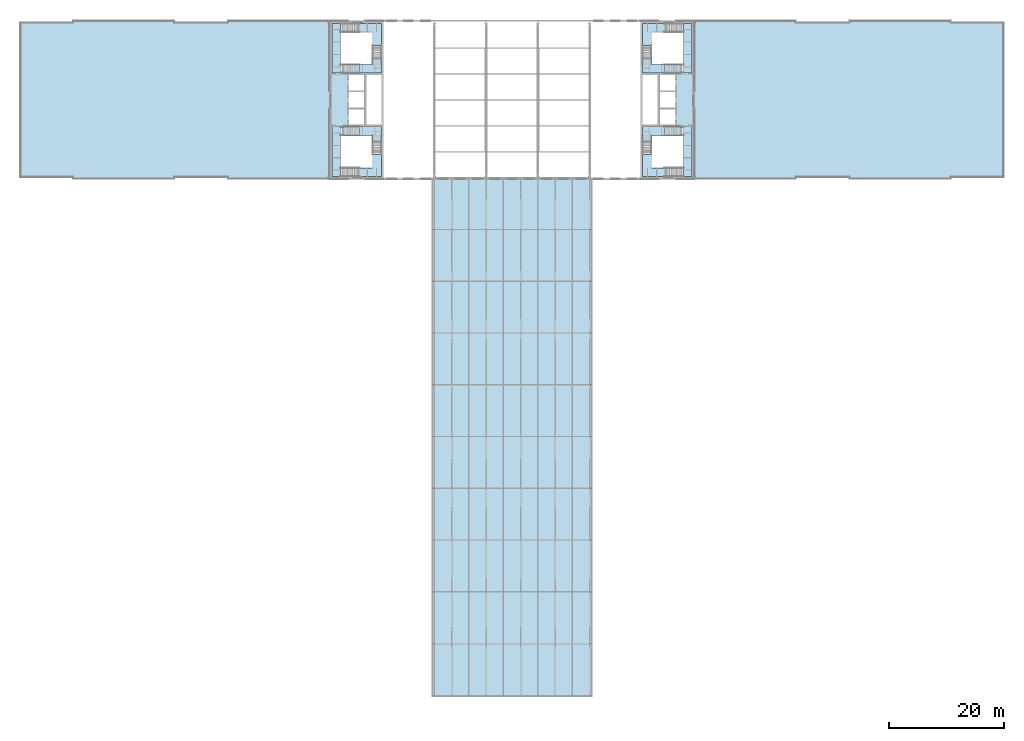
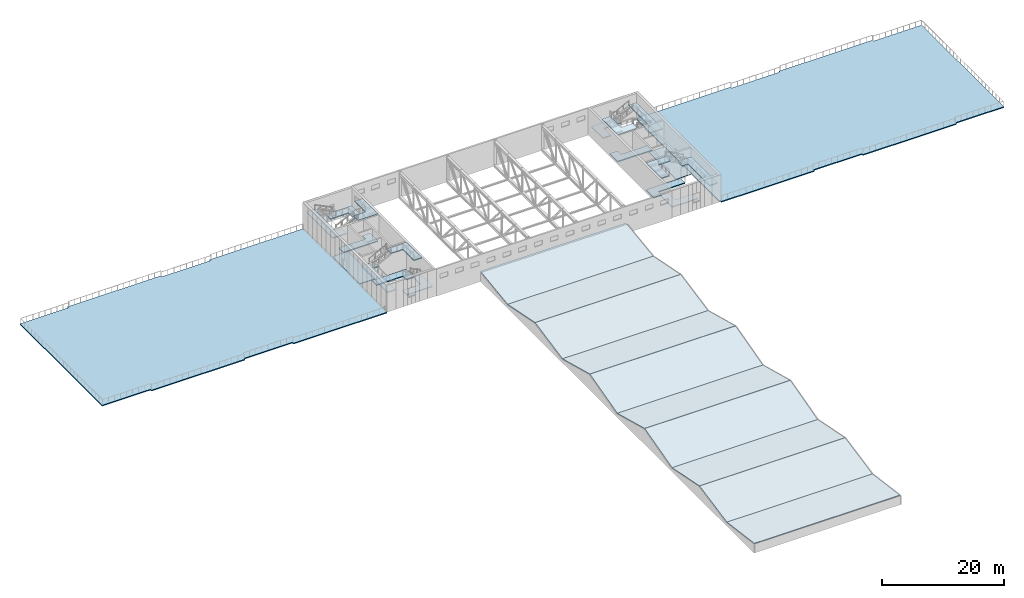
# One storey, part 20 of 29: 30 slabs, 4 elements without a shape of their own.
"""IFC4 building model written with IfcOpenShell, lengths in metres."""

import ifcopenshell
import ifcopenshell.guid

model = None  # the IFC model being written
_history = None  # IfcOwnerHistory: only IFC2X3 demands one
_inside = {}  # id of a spatial element -> (the spatial element, [elements in it])
_under = {}  # id of a project, library or spatial element -> (it, [spatial elements below it])
_declared = {}  # id of a project -> (the project, [libraries it declares])
_typed = {}  # id of a type object -> (the type object, [elements of that type])
_made_of = {}  # id of a material, layer set ... -> (it, [elements and type objects made of it])


def new_model(schema):
    """Start an empty IFC model of exactly this schema.

    Asked for "IFC4X3", IfcOpenShell would pick the latest addendum, in which some entities
    have other attributes; the version numbers below select the first issue.
    IFC2X3 requires an IfcOwnerHistory on every rooted entity: one is made here for all.
    """
    global model, _history
    if schema == "IFC4X3":
        model = ifcopenshell.file(schema_version=(4, 3, 0, 0))
    else:
        model = ifcopenshell.file(schema=schema)
    _inside.clear()
    _under.clear()
    _declared.clear()
    _typed.clear()
    _made_of.clear()
    _history = None
    if model.schema == "IFC2X3":
        org = make("IfcOrganization", Name="unknown")
        user = make(
            "IfcPersonAndOrganization",
            ThePerson=make("IfcPerson", FamilyName="unknown"),
            TheOrganization=org,
        )
        app = make(
            "IfcApplication",
            ApplicationDeveloper=org,
            Version="unknown",
            ApplicationFullName="unknown",
            ApplicationIdentifier="unknown",
        )
        _history = make(
            "IfcOwnerHistory",
            OwningUser=user,
            OwningApplication=app,
            ChangeAction="ADDED",
            CreationDate=0,
        )
    return model


def make(cls, **values):
    """One entity of the class cls with the attributes given. An attribute that is None is left unset."""
    return model.create_entity(
        cls, **{name: value for name, value in values.items() if value is not None}
    )


def rooted(cls, **values):
    """An entity with a GlobalId (a new one), such as an element, a storey or a relation."""
    return make(cls, GlobalId=ifcopenshell.guid.new(), OwnerHistory=_history, **values)


def si_unit(unit_type, name, prefix=None):
    """IfcSIUnit, for example si_unit("LENGTHUNIT", "METRE", prefix="MILLI")."""
    return make("IfcSIUnit", UnitType=unit_type, Prefix=prefix, Name=name)


def assignment(units):
    """IfcUnitAssignment: the units of a project."""
    return None if units is None else make("IfcUnitAssignment", Units=units)


def point(xyz):
    """IfcCartesianPoint."""
    return None if xyz is None else make("IfcCartesianPoint", Coordinates=xyz)


def direction(xyz):
    """IfcDirection."""
    return None if xyz is None else make("IfcDirection", DirectionRatios=xyz)


def frame(location, z_axis=None, x_axis=None):
    """IfcAxis2Placement3D, a coordinate frame: its origin and axes. An axis left out is left unset."""
    return make(
        "IfcAxis2Placement3D",
        Location=point(location),
        Axis=direction(z_axis),
        RefDirection=direction(x_axis),
    )


def origin():
    """The frame at (0, 0, 0) with its axes left unset."""
    return frame((0.0, 0.0, 0.0))


def place(relative_to, where):
    """IfcLocalPlacement: puts the frame where relative to a parent placement (None: the world)."""
    return make(
        "IfcLocalPlacement", PlacementRelTo=relative_to, RelativePlacement=where
    )


def context(
    kind, dimensions, precision=None, world=None, true_north=None, identifier=None
):
    """IfcGeometricRepresentationContext, for example the 3D "Model" context."""
    return make(
        "IfcGeometricRepresentationContext",
        ContextIdentifier=identifier,
        ContextType=kind,
        CoordinateSpaceDimension=dimensions,
        Precision=precision,
        WorldCoordinateSystem=world,
        TrueNorth=true_north,
    )


def subcontext(parent, identifier, kind, view, scale=None):
    """IfcGeometricRepresentationSubContext, for example "Body" below "Model"."""
    return make(
        "IfcGeometricRepresentationSubContext",
        ContextIdentifier=identifier,
        ContextType=kind,
        ParentContext=parent,
        TargetScale=scale,
        TargetView=view,
    )


def project(units=None, contexts=None):
    """IfcProject with its units and contexts."""
    return rooted(
        "IfcProject",
        Name="project",
        RepresentationContexts=contexts,
        UnitsInContext=assignment(units),
    )


def spatial(cls, under=None, at=None, **own):
    """A site, building, storey or space (cls), placed at a placement, below another one or the project."""
    s = rooted(cls, ObjectPlacement=at, **own)
    if under is not None:
        _under.setdefault(under.id(), (under, []))[1].append(s)
    return s


def polyline(points):
    """IfcPolyline through the points."""
    return make("IfcPolyline", Points=[point(p) for p in points])


def outline(outer, holes=None, kind="AREA"):
    """IfcArbitraryClosedProfileDef: a profile drawn as a closed curve; with holes, ...WithVoids."""
    if holes is None:
        return make("IfcArbitraryClosedProfileDef", ProfileType=kind, OuterCurve=outer)
    return make(
        "IfcArbitraryProfileDefWithVoids",
        ProfileType=kind,
        OuterCurve=outer,
        InnerCurves=holes,
    )


def extrude(swept, where, along, depth):
    """IfcExtrudedAreaSolid: the profile swept, set in the frame where, extruded along a direction by depth."""
    return make(
        "IfcExtrudedAreaSolid",
        SweptArea=swept,
        Position=where,
        ExtrudedDirection=direction(along),
        Depth=depth,
    )


def shape(context_of_items, identifier, shape_type, items):
    """IfcShapeRepresentation: the items that make up one representation, for example the "Body"."""
    return make(
        "IfcShapeRepresentation",
        ContextOfItems=context_of_items,
        RepresentationIdentifier=identifier,
        RepresentationType=shape_type,
        Items=items,
    )


def material(Name=None, Category=None):
    """IfcMaterial."""
    return make("IfcMaterial", Name=Name, Category=Category)


def layer(
    of_material, thickness, ventilated=None, Name=None, Category=None, Priority=None
):
    """IfcMaterialLayer: one layer of a wall or slab, of a material (None: an air gap)."""
    return make(
        "IfcMaterialLayer",
        Material=of_material,
        LayerThickness=thickness,
        IsVentilated=ventilated,
        Name=Name,
        Category=Category,
        Priority=Priority,
    )


def layer_set(layers, Name=None):
    """IfcMaterialLayerSet."""
    return make("IfcMaterialLayerSet", MaterialLayers=layers, LayerSetName=Name)


def made_of(thing, what):
    """Note that an element or type object is made of a material, layer set ...; save() writes the relation."""
    if what is not None:
        _made_of.setdefault(what.id(), (what, []))[1].append(thing)
    return thing


def type_object(cls, material=None, **own):
    """A type object (cls), such as IfcWallType, which elements share."""
    return made_of(rooted(cls, **own), material)


def element(
    cls,
    number,
    at=None,
    inside=None,
    cuts=None,
    type_object=None,
    material=None,
    context=None,
    identifier="Body",
    shape_type=None,
    held_by="IfcProductDefinitionShape",
    body=None,
    shapes=None,
    **own,
):
    """One element of the class cls, such as IfcWall. Its Tag is "e" and its number.

    at: its placement. inside: the storey or other place that contains it. cuts: it is an
    opening in that element (IfcRelVoidsElement). A single representation is given by context,
    identifier, shape_type and body (its items); several are given by shapes. held_by: the class
    of the entity that holds the representations. save() writes the other relations.
    """
    e = rooted(cls, Tag="e%d" % number, ObjectPlacement=at, **own)
    if body is not None:
        shapes = [shape(context, identifier, shape_type, body)]
    if shapes is not None:
        e.Representation = make(held_by, Representations=shapes)
    if inside is not None:
        _inside.setdefault(inside.id(), (inside, []))[1].append(e)
    if cuts is not None:
        rooted(
            "IfcRelVoidsElement", RelatingBuildingElement=cuts, RelatedOpeningElement=e
        )
    if type_object is not None:
        _typed.setdefault(type_object.id(), (type_object, []))[1].append(e)
    return made_of(e, material)


def aggregate(whole, parts):
    """IfcRelAggregates: a whole, such as a stair, and the parts it consists of."""
    return rooted("IfcRelAggregates", RelatingObject=whole, RelatedObjects=parts)


def save(model, path):
    """Write the relations noted so far, then the file.

    IfcRelAggregates (storeys below a building ...), IfcRelContainedInSpatialStructure (elements
    in a storey), IfcRelDefinesByType, IfcRelAssociatesMaterial and IfcRelDeclares: one each for
    every whole, place, type object, material and project.
    """
    for whole, parts in _under.values():
        aggregate(whole, parts)
    for where, things in _inside.values():
        rooted(
            "IfcRelContainedInSpatialStructure",
            RelatedElements=things,
            RelatingStructure=where,
        )
    for kind, things in _typed.values():
        rooted("IfcRelDefinesByType", RelatedObjects=things, RelatingType=kind)
    for what, things in _made_of.values():
        rooted("IfcRelAssociatesMaterial", RelatedObjects=things, RelatingMaterial=what)
    for by, libraries in _declared.values():
        rooted("IfcRelDeclares", RelatingContext=by, RelatedDefinitions=libraries)
    model.write(path)


model = new_model("IFC4")

# Units and contexts
model_context = context("Model", 3, precision=1e-05, world=origin(), true_north=direction((0.0, 1.0)))
body_context = subcontext(model_context, "Body", "Model", "MODEL_VIEW")
ifc_project = project(units=[si_unit("LENGTHUNIT", "METRE"), si_unit("AREAUNIT", "SQUARE_METRE"), si_unit("VOLUMEUNIT", "CUBIC_METRE"), si_unit("PLANEANGLEUNIT", "RADIAN"), si_unit("MASSUNIT", "GRAM", prefix="KILO")], contexts=[model_context])

# Site, building, storey
site_placement = place(None, origin())
site = spatial("IfcSite", under=ifc_project, at=site_placement, CompositionType="ELEMENT")
building_placement = place(site_placement, origin())
building = spatial("IfcBuilding", under=site, at=building_placement, Name="Azimuth Sports and Learning Centre", CompositionType="ELEMENT")
storey_placement = place(building_placement, frame((0.0, 0.0, 27.0)))
storey = spatial("IfcBuildingStorey", under=building, at=storey_placement, Name="L05", CompositionType="ELEMENT", Elevation=27.0)

# Stair, slabs
ifc_material_1 = material(Name="Concrete C32/40", Category="concrete")
stair_type = type_object("IfcStairType", Name="Square-well stair core 5400 storey", PredefinedType="THREE_QUARTER_TURN_STAIR", material=ifc_material_1)
stair_1_placement = place(storey_placement, origin())
stair_1 = element("IfcStair", 1, at=stair_1_placement, inside=storey, type_object=stair_type, Name="Stair W1 L05-L06", PredefinedType="THREE_QUARTER_TURN_STAIR")
ifc_material_2 = material(Name="Concrete C32/40", Category="concrete")
ifc_layer_1 = layer(ifc_material_2, 0.199951171875)
ifc_layer_set_1 = layer_set([ifc_layer_1], Name="Concrete C32/40")
slab_type_1 = type_object("IfcSlabType", Name="Concrete stair landing", PredefinedType="LANDING", material=ifc_layer_set_1)
slab_1_placement = place(storey_placement, frame((0.0, 0.0, -0.199951171875)))
slab_1 = element("IfcSlab", 2, at=slab_1_placement, type_object=slab_type_1, Name="Stair W1 L05 landing 1", PredefinedType="LANDING", context=body_context, shape_type="SweptSolid", body=[
    extrude(outline(polyline([(62.7900390625, 98.840087890625), (56.25, 98.840087890625), (56.25, 97.340087890625), (61.2900390625, 97.340087890625), (61.2900390625, 96.239990234375), (62.7900390625, 96.239990234375), (62.7900390625, 98.840087890625)])), origin(), (0.0, 0.0, 1.0), 0.199951171875),
])
slab_2_placement = place(storey_placement, frame((0.0, 0.0, 1.60009765625)))
slab_2 = element("IfcSlab", 3, at=slab_2_placement, type_object=slab_type_1, Name="Stair W1 L05 landing 2", PredefinedType="LANDING", context=body_context, shape_type="SweptSolid", body=[
    extrude(outline(polyline([(61.2900390625, 91.7099609375), (57.909912109375, 91.7099609375), (57.909912109375, 90.2099609375), (62.7900390625, 90.2099609375), (62.7900390625, 94.040771484375), (61.2900390625, 94.040771484375), (61.2900390625, 91.7099609375)])), origin(), (0.0, 0.0, 1.0), 0.199951171875),
])
slab_3_placement = place(storey_placement, frame((0.0, 0.0, 3.39990234375)))
slab_3 = element("IfcSlab", 4, at=slab_3_placement, type_object=slab_type_1, Name="Stair W1 L05 landing 3", PredefinedType="LANDING", context=body_context, shape_type="SweptSolid", body=[
    extrude(outline(polyline([(55.7099609375, 91.7099609375), (55.7099609375, 97.340087890625), (56.81005859375, 97.340087890625), (56.81005859375, 98.840087890625), (54.2099609375, 98.840087890625), (54.2099609375, 90.2099609375), (55.710693359375, 90.2099609375), (55.710693359375, 91.7099609375), (55.7099609375, 91.7099609375)])), origin(), (0.0, 0.0, 1.0), 0.2001953125),
])
slab_4_placement = place(storey_placement, frame((0.0, 0.0, 5.199951171875)))
slab_4 = element("IfcSlab", 5, at=slab_4_placement, type_object=slab_type_1, Name="Stair W1 L05 landing 4", PredefinedType="LANDING", context=body_context, shape_type="SweptSolid", body=[
    extrude(outline(polyline([(61.2900390625, 97.340087890625), (61.2900390625, 93.75), (62.7900390625, 93.75), (62.7900390625, 98.840087890625), (59.00927734375, 98.840087890625), (59.00927734375, 97.340087890625), (61.2900390625, 97.340087890625)])), origin(), (0.0, 0.0, 1.0), 0.199951171875),
])
aggregate(stair_1, [slab_1, slab_2, slab_3, slab_4])

stair_2_placement = place(storey_placement, origin())
stair_2 = element("IfcStair", 6, at=stair_2_placement, inside=storey, type_object=stair_type, Name="Stair W2 L05-L06", PredefinedType="THREE_QUARTER_TURN_STAIR")
slab_5_placement = place(storey_placement, frame((0.0, 0.0, -0.199951171875)))
slab_5 = element("IfcSlab", 7, at=slab_5_placement, type_object=slab_type_1, Name="Stair W2 L05 landing 1", PredefinedType="LANDING", context=body_context, shape_type="SweptSolid", body=[
    extrude(outline(polyline([(61.2900390625, 110.760009765625), (61.2900390625, 109.659912109375), (56.25, 109.659912109375), (56.25, 108.159912109375), (62.7900390625, 108.159912109375), (62.7900390625, 110.760009765625), (61.2900390625, 110.760009765625)])), origin(), (0.0, 0.0, 1.0), 0.199951171875),
])
slab_6_placement = place(storey_placement, frame((0.0, 0.0, 1.60009765625)))
slab_6 = element("IfcSlab", 8, at=slab_6_placement, type_object=slab_type_1, Name="Stair W2 L05 landing 2", PredefinedType="LANDING", context=body_context, shape_type="SweptSolid", body=[
    extrude(outline(polyline([(61.2900390625, 115.2900390625), (61.2900390625, 112.959228515625), (62.7900390625, 112.959228515625), (62.7900390625, 116.7900390625), (57.909912109375, 116.7900390625), (57.909912109375, 115.2900390625), (61.2900390625, 115.2900390625)])), origin(), (0.0, 0.0, 1.0), 0.199951171875),
])
slab_7_placement = place(storey_placement, frame((0.0, 0.0, 3.39990234375)))
slab_7 = element("IfcSlab", 9, at=slab_7_placement, type_object=slab_type_1, Name="Stair W2 L05 landing 3", PredefinedType="LANDING", context=body_context, shape_type="SweptSolid", body=[
    extrude(outline(polyline([(55.7099609375, 115.2900390625), (55.710693359375, 115.2900390625), (55.710693359375, 116.7900390625), (54.2099609375, 116.7900390625), (54.2099609375, 108.159912109375), (56.81005859375, 108.159912109375), (56.81005859375, 109.659912109375), (55.7099609375, 109.659912109375), (55.7099609375, 115.2900390625)])), origin(), (0.0, 0.0, 1.0), 0.2001953125),
])
slab_8_placement = place(storey_placement, frame((0.0, 0.0, 5.199951171875)))
slab_8 = element("IfcSlab", 10, at=slab_8_placement, type_object=slab_type_1, Name="Stair W2 L05 landing 4", PredefinedType="LANDING", context=body_context, shape_type="SweptSolid", body=[
    extrude(outline(polyline([(61.2900390625, 109.659912109375), (59.00927734375, 109.659912109375), (59.00927734375, 108.159912109375), (62.7900390625, 108.159912109375), (62.7900390625, 113.25), (61.2900390625, 113.25), (61.2900390625, 109.659912109375)])), origin(), (0.0, 0.0, 1.0), 0.199951171875),
])
aggregate(stair_2, [slab_5, slab_6, slab_7, slab_8])

stair_3_placement = place(storey_placement, origin())
stair_3 = element("IfcStair", 11, at=stair_3_placement, inside=storey, type_object=stair_type, Name="Stair E1 L05-L06", PredefinedType="THREE_QUARTER_TURN_STAIR")
slab_9_placement = place(storey_placement, frame((0.0, 0.0, -0.199951171875)))
slab_9 = element("IfcSlab", 12, at=slab_9_placement, type_object=slab_type_1, Name="Stair E1 L05 landing 1", PredefinedType="LANDING", context=body_context, shape_type="SweptSolid", body=[
    extrude(outline(polyline([(109.7099609375, 96.239990234375), (109.7099609375, 97.340087890625), (114.75, 97.340087890625), (114.75, 98.840087890625), (108.2099609375, 98.840087890625), (108.2099609375, 96.239990234375), (109.7099609375, 96.239990234375)])), origin(), (0.0, 0.0, 1.0), 0.199951171875),
])
slab_10_placement = place(storey_placement, frame((0.0, 0.0, 1.60009765625)))
slab_10 = element("IfcSlab", 13, at=slab_10_placement, type_object=slab_type_1, Name="Stair E1 L05 landing 2", PredefinedType="LANDING", context=body_context, shape_type="SweptSolid", body=[
    extrude(outline(polyline([(109.7099609375, 91.7099609375), (109.7099609375, 94.040771484375), (108.2099609375, 94.040771484375), (108.2099609375, 90.2099609375), (113.090087890625, 90.2099609375), (113.090087890625, 91.7099609375), (109.7099609375, 91.7099609375)])), origin(), (0.0, 0.0, 1.0), 0.199951171875),
])
slab_11_placement = place(storey_placement, frame((0.0, 0.0, 3.39990234375)))
slab_11 = element("IfcSlab", 14, at=slab_11_placement, type_object=slab_type_1, Name="Stair E1 L05 landing 3", PredefinedType="LANDING", context=body_context, shape_type="SweptSolid", body=[
    extrude(outline(polyline([(115.2900390625, 91.7099609375), (115.289306640625, 91.7099609375), (115.289306640625, 90.2099609375), (116.7900390625, 90.2099609375), (116.7900390625, 98.840087890625), (114.18994140625, 98.840087890625), (114.18994140625, 97.340087890625), (115.2900390625, 97.340087890625), (115.2900390625, 91.7099609375)])), origin(), (0.0, 0.0, 1.0), 0.2001953125),
])
slab_12_placement = place(storey_placement, frame((0.0, 0.0, 5.199951171875)))
slab_12 = element("IfcSlab", 15, at=slab_12_placement, type_object=slab_type_1, Name="Stair E1 L05 landing 4", PredefinedType="LANDING", context=body_context, shape_type="SweptSolid", body=[
    extrude(outline(polyline([(109.7099609375, 97.340087890625), (111.99072265625, 97.340087890625), (111.99072265625, 98.840087890625), (108.2099609375, 98.840087890625), (108.2099609375, 93.75), (109.7099609375, 93.75), (109.7099609375, 97.340087890625)])), origin(), (0.0, 0.0, 1.0), 0.199951171875),
])
aggregate(stair_3, [slab_9, slab_10, slab_11, slab_12])

stair_4_placement = place(storey_placement, origin())
stair_4 = element("IfcStair", 16, at=stair_4_placement, inside=storey, type_object=stair_type, Name="Stair E2 L05-L06", PredefinedType="THREE_QUARTER_TURN_STAIR")
slab_13_placement = place(storey_placement, frame((0.0, 0.0, -0.199951171875)))
slab_13 = element("IfcSlab", 17, at=slab_13_placement, type_object=slab_type_1, Name="Stair E2 L05 landing 1", PredefinedType="LANDING", context=body_context, shape_type="SweptSolid", body=[
    extrude(outline(polyline([(108.2099609375, 108.159912109375), (114.75, 108.159912109375), (114.75, 109.659912109375), (109.7099609375, 109.659912109375), (109.7099609375, 110.760009765625), (108.2099609375, 110.760009765625), (108.2099609375, 108.159912109375)])), origin(), (0.0, 0.0, 1.0), 0.199951171875),
])
slab_14_placement = place(storey_placement, frame((0.0, 0.0, 1.60009765625)))
slab_14 = element("IfcSlab", 18, at=slab_14_placement, type_object=slab_type_1, Name="Stair E2 L05 landing 2", PredefinedType="LANDING", context=body_context, shape_type="SweptSolid", body=[
    extrude(outline(polyline([(109.7099609375, 115.2900390625), (113.090087890625, 115.2900390625), (113.090087890625, 116.7900390625), (108.2099609375, 116.7900390625), (108.2099609375, 112.959228515625), (109.7099609375, 112.959228515625), (109.7099609375, 115.2900390625)])), origin(), (0.0, 0.0, 1.0), 0.199951171875),
])
slab_15_placement = place(storey_placement, frame((0.0, 0.0, 3.39990234375)))
slab_15 = element("IfcSlab", 19, at=slab_15_placement, type_object=slab_type_1, Name="Stair E2 L05 landing 3", PredefinedType="LANDING", context=body_context, shape_type="SweptSolid", body=[
    extrude(outline(polyline([(115.2900390625, 115.2900390625), (115.2900390625, 109.659912109375), (114.18994140625, 109.659912109375), (114.18994140625, 108.159912109375), (116.7900390625, 108.159912109375), (116.7900390625, 116.7900390625), (115.289306640625, 116.7900390625), (115.289306640625, 115.2900390625), (115.2900390625, 115.2900390625)])), origin(), (0.0, 0.0, 1.0), 0.2001953125),
])
slab_16_placement = place(storey_placement, frame((0.0, 0.0, 5.199951171875)))
slab_16 = element("IfcSlab", 20, at=slab_16_placement, type_object=slab_type_1, Name="Stair E2 L05 landing 4", PredefinedType="LANDING", context=body_context, shape_type="SweptSolid", body=[
    extrude(outline(polyline([(109.7099609375, 109.659912109375), (109.7099609375, 113.25), (108.2099609375, 113.25), (108.2099609375, 108.159912109375), (111.99072265625, 108.159912109375), (111.99072265625, 109.659912109375), (109.7099609375, 109.659912109375)])), origin(), (0.0, 0.0, 1.0), 0.199951171875),
])
aggregate(stair_4, [slab_13, slab_14, slab_15, slab_16])

# Slabs
ifc_material_3 = material(Name="Concrete C30/37", Category="concrete")
ifc_layer_2 = layer(ifc_material_3, 0.14990234375)
ifc_layer_set_2 = layer_set([ifc_layer_2], Name="Concrete C30/37")
slab_type_2 = type_object("IfcSlabType", Name="Folded roof slab 150", PredefinedType="ROOF", material=ifc_layer_set_2)
slab_17_placement = place(storey_placement, frame((71.699951171875, 0.0, 1.800048828125), z_axis=(0.0, 0.132158436264, 0.991228605179), x_axis=(1.0, 0.0, 0.0)))
element("IfcSlab", 21, at=slab_17_placement, inside=storey, type_object=slab_type_2, Name="Slab FOLD01 L05", PredefinedType="ROOF", context=body_context, shape_type="SweptSolid", body=[
    extrude(outline(polyline([(0.0, 0.0), (27.60009765625, 0.0), (27.60009765625, 9.079641117075289), (0.0, 9.079641117075289), (0.0, 0.0)])), origin(), (0.0, 0.0, -1.0), 0.14990234375),
])
for number, where, z_axis, x_axis, name in (
    (22, (71.699951171875, 9.0, 0.60009765625), (0.0, -0.196095606683, 0.980584781159), (1.0, 0.0, 0.0), "Slab FOLD02 L05"),
    (23, (71.699951171875, 18.029296875, 2.39404296875), (0.0, 0.196095606683, 0.980584781159), (1.0, 0.0, 0.0), "Slab FOLD03 L05"),
):
    element("IfcSlab", number, at=place(storey_placement, frame(where, z_axis=z_axis, x_axis=x_axis)), inside=storey, type_object=slab_type_2, Name=name, PredefinedType="ROOF", context=body_context, shape_type="SweptSolid", body=[
        extrude(outline(polyline([(0.0, 0.0), (27.60009765625, 0.0), (27.60009765625, 9.148319755076638), (0.0, 9.148319755076638), (0.0, 0.0)])), origin(), (0.0, 0.0, -1.0), 0.14990234375),
    ])
for number, where, z_axis, x_axis, name in (
    (24, (71.699951171875, 27.0, 0.60009765625), (0.0, -0.257656096943, 0.966236687209), (1.0, 0.0, 0.0), "Slab FOLD04 L05"),
    (25, (71.699951171875, 36.03857421875, 2.98974609375), (0.0, 0.257656096943, 0.966236687209), (1.0, 0.0, 0.0), "Slab FOLD05 L05"),
    (26, (71.699951171875, 45.0, 0.60009765625), (0.0, -0.257656096943, 0.966236687209), (1.0, 0.0, 0.0), "Slab FOLD06 L05"),
    (27, (71.699951171875, 54.03857421875, 2.98974609375), (0.0, 0.257656096943, 0.966236687209), (1.0, 0.0, 0.0), "Slab FOLD07 L05"),
):
    element("IfcSlab", number, at=place(storey_placement, frame(where, z_axis=z_axis, x_axis=x_axis)), inside=storey, type_object=slab_type_2, Name=name, PredefinedType="ROOF", context=body_context, shape_type="SweptSolid", body=[
        extrude(outline(polyline([(0.0, 0.0), (27.60009765625, 0.0), (27.60009765625, 9.274565849014085), (0.0, 9.274565849014085), (0.0, 0.0)])), origin(), (0.0, 0.0, -1.0), 0.14990234375),
    ])
for number, where, z_axis, x_axis, name in (
    (28, (71.699951171875, 63.0, 0.60009765625), (0.0, -0.196095606683, 0.980584781159), (1.0, 0.0, 0.0), "Slab FOLD08 L05"),
    (29, (71.699951171875, 72.029296875, 2.39404296875), (0.0, 0.196095606683, 0.980584781159), (1.0, 0.0, 0.0), "Slab FOLD09 L05"),
):
    element("IfcSlab", number, at=place(storey_placement, frame(where, z_axis=z_axis, x_axis=x_axis)), inside=storey, type_object=slab_type_2, Name=name, PredefinedType="ROOF", context=body_context, shape_type="SweptSolid", body=[
        extrude(outline(polyline([(0.0, 0.0), (27.60009765625, 0.0), (27.60009765625, 9.148319755076638), (0.0, 9.148319755076638), (0.0, 0.0)])), origin(), (0.0, 0.0, -1.0), 0.14990234375),
    ])
slab_18_placement = place(storey_placement, frame((71.699951171875, 81.0, 0.60009765625), z_axis=(0.0, -0.132158436264, 0.991228605179), x_axis=(1.0, 0.0, 0.0)))
element("IfcSlab", 30, at=slab_18_placement, inside=storey, type_object=slab_type_2, Name="Slab FOLD10 L05", PredefinedType="ROOF", context=body_context, shape_type="SweptSolid", body=[
    extrude(outline(polyline([(0.0, 0.0), (27.60009765625, 0.0), (27.60009765625, 9.079641117075289), (0.0, 9.079641117075289), (0.0, 0.0)])), origin(), (0.0, 0.0, -1.0), 0.14990234375),
])
ifc_material_4 = material(Name="Concrete C30/37", Category="concrete")
ifc_layer_3 = layer(ifc_material_4, 0.14990234375)
ifc_layer_set_3 = layer_set([ifc_layer_3], Name="Concrete C30/37")
slab_type_3 = type_object("IfcSlabType", Name="Sky lobby floor slab 150", PredefinedType="FLOOR", material=ifc_layer_set_3)
slab_19_placement = place(storey_placement, frame((0.0, 0.0, -0.14990234375)))
element("IfcSlab", 31, at=slab_19_placement, inside=storey, type_object=slab_type_3, Name="Slab West sky lobby L05", PredefinedType="FLOOR", context=body_context, shape_type="SweptSolid", body=[
    extrude(outline(polyline([(54.0, 99.0), (57.0, 99.0), (57.0, 108.0), (54.0, 108.0), (54.0, 99.0)])), origin(), (0.0, 0.0, 1.0), 0.14990234375),
])
slab_20_placement = place(storey_placement, frame((0.0, 0.0, -0.14990234375)))
element("IfcSlab", 32, at=slab_20_placement, inside=storey, type_object=slab_type_3, Name="Slab East sky lobby L05", PredefinedType="FLOOR", context=body_context, shape_type="SweptSolid", body=[
    extrude(outline(polyline([(114.0, 99.0), (117.0, 99.0), (117.0, 108.0), (114.0, 108.0), (114.0, 99.0)])), origin(), (0.0, 0.0, 1.0), 0.14990234375),
])
ifc_material_5 = material(Name="Concrete C30/37", Category="concrete")
ifc_layer_4 = layer(ifc_material_5, 0.199951171875)
ifc_layer_set_4 = layer_set([ifc_layer_4], Name="Concrete C30/37")
slab_type_4 = type_object("IfcSlabType", Name="Terrace roof slab 200", PredefinedType="ROOF", material=ifc_layer_set_4)
slab_21_placement = place(storey_placement, frame((0.0, 0.0, -0.199951171875)))
element("IfcSlab", 33, at=slab_21_placement, inside=storey, type_object=slab_type_4, Name="Slab West wing terrace L05", PredefinedType="ROOF", context=body_context, shape_type="SweptSolid", body=[
    extrude(outline(polyline([(9.14990234375, 89.699951171875), (26.89990234375, 89.699951171875), (26.89990234375, 90.0), (36.10009765625, 90.0), (36.10009765625, 89.699951171875), (53.800048828125, 89.699951171875), (53.800048828125, 90.0), (54.0, 90.0), (54.0, 117.0), (53.800048828125, 117.0), (53.800048828125, 117.300048828125), (36.10009765625, 117.300048828125), (36.10009765625, 117.0), (26.89990234375, 117.0), (26.89990234375, 117.300048828125), (9.14990234375, 117.300048828125), (9.14990234375, 117.0), (0.0, 117.0), (0.0, 90.0), (9.14990234375, 90.0), (9.14990234375, 89.699951171875)])), origin(), (0.0, 0.0, 1.0), 0.199951171875),
])
slab_22_placement = place(storey_placement, frame((0.0, 0.0, -0.199951171875)))
element("IfcSlab", 34, at=slab_22_placement, inside=storey, type_object=slab_type_4, Name="Slab East wing terrace L05", PredefinedType="ROOF", context=body_context, shape_type="SweptSolid", body=[
    extrude(outline(polyline([(117.199951171875, 89.699951171875), (134.89990234375, 89.699951171875), (134.89990234375, 90.0), (144.10009765625, 90.0), (144.10009765625, 89.699951171875), (161.85009765625, 89.699951171875), (161.85009765625, 90.0), (171.0, 90.0), (171.0, 117.0), (161.85009765625, 117.0), (161.85009765625, 117.300048828125), (144.10009765625, 117.300048828125), (144.10009765625, 117.0), (134.89990234375, 117.0), (134.89990234375, 117.300048828125), (117.199951171875, 117.300048828125), (117.199951171875, 117.0), (117.0, 117.0), (117.0, 90.0), (117.199951171875, 90.0), (117.199951171875, 89.699951171875)])), origin(), (0.0, 0.0, 1.0), 0.199951171875),
])

save(model, "model.ifc")
